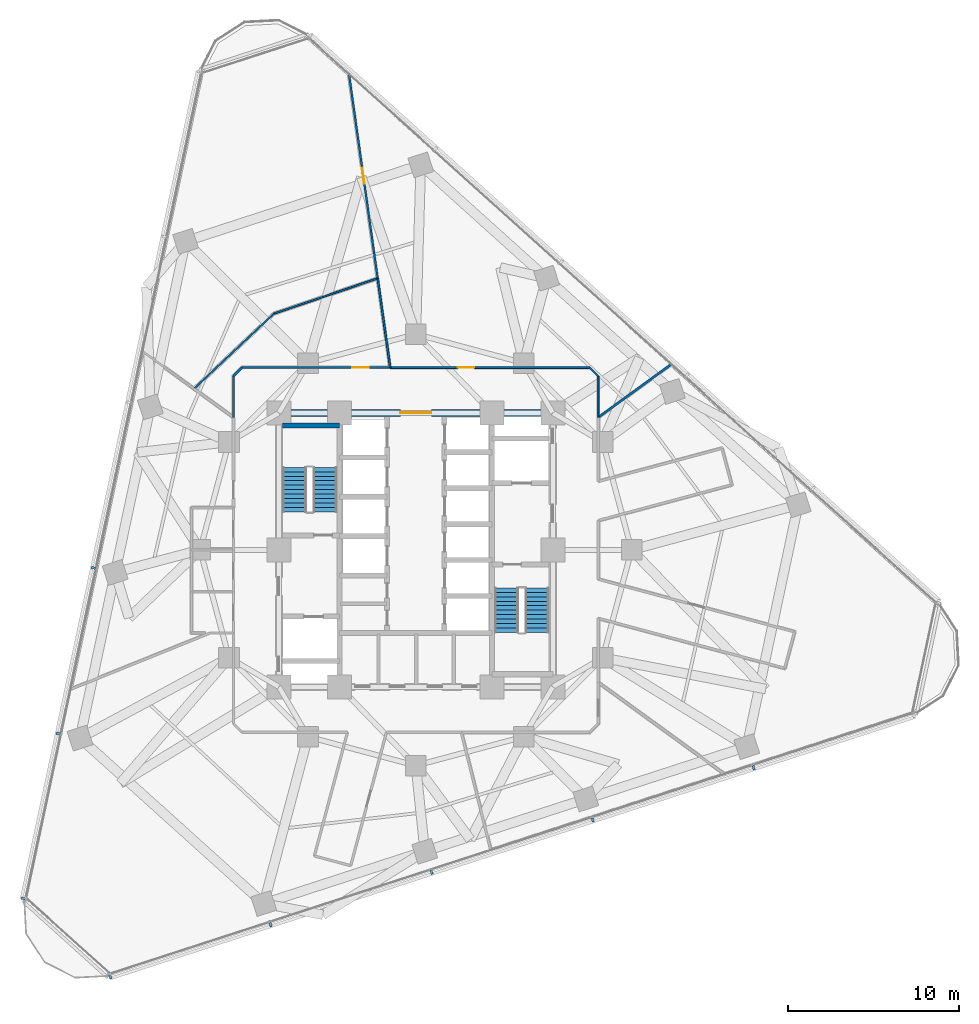
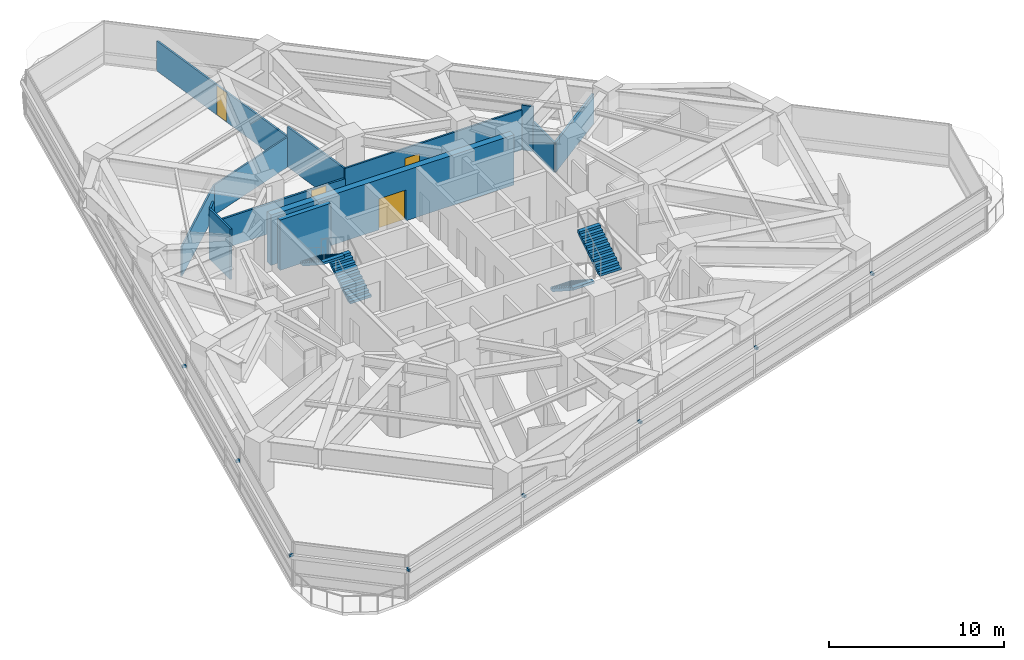
# One storey, part 10 of 14: 13 walls, 8 discrete accessories, 4 doors, 4 stair flights, 4 openings, 2 elements without a shape of their own.
"""IFC4 building model written with IfcOpenShell, lengths in metres."""

import ifcopenshell
import ifcopenshell.guid

model = None  # the IFC model being written
_history = None  # IfcOwnerHistory: only IFC2X3 demands one
_inside = {}  # id of a spatial element -> (the spatial element, [elements in it])
_under = {}  # id of a project, library or spatial element -> (it, [spatial elements below it])
_declared = {}  # id of a project -> (the project, [libraries it declares])
_typed = {}  # id of a type object -> (the type object, [elements of that type])
_made_of = {}  # id of a material, layer set ... -> (it, [elements and type objects made of it])


def new_model(schema):
    """Start an empty IFC model of exactly this schema.

    Asked for "IFC4X3", IfcOpenShell would pick the latest addendum, in which some entities
    have other attributes; the version numbers below select the first issue.
    IFC2X3 requires an IfcOwnerHistory on every rooted entity: one is made here for all.
    """
    global model, _history
    if schema == "IFC4X3":
        model = ifcopenshell.file(schema_version=(4, 3, 0, 0))
    else:
        model = ifcopenshell.file(schema=schema)
    _inside.clear()
    _under.clear()
    _declared.clear()
    _typed.clear()
    _made_of.clear()
    _history = None
    if model.schema == "IFC2X3":
        org = make("IfcOrganization", Name="unknown")
        user = make(
            "IfcPersonAndOrganization",
            ThePerson=make("IfcPerson", FamilyName="unknown"),
            TheOrganization=org,
        )
        app = make(
            "IfcApplication",
            ApplicationDeveloper=org,
            Version="unknown",
            ApplicationFullName="unknown",
            ApplicationIdentifier="unknown",
        )
        _history = make(
            "IfcOwnerHistory",
            OwningUser=user,
            OwningApplication=app,
            ChangeAction="ADDED",
            CreationDate=0,
        )
    return model


def make(cls, **values):
    """One entity of the class cls with the attributes given. An attribute that is None is left unset."""
    return model.create_entity(
        cls, **{name: value for name, value in values.items() if value is not None}
    )


def rooted(cls, **values):
    """An entity with a GlobalId (a new one), such as an element, a storey or a relation."""
    return make(cls, GlobalId=ifcopenshell.guid.new(), OwnerHistory=_history, **values)


def si_unit(unit_type, name, prefix=None):
    """IfcSIUnit, for example si_unit("LENGTHUNIT", "METRE", prefix="MILLI")."""
    return make("IfcSIUnit", UnitType=unit_type, Prefix=prefix, Name=name)


def assignment(units):
    """IfcUnitAssignment: the units of a project."""
    return None if units is None else make("IfcUnitAssignment", Units=units)


def point(xyz):
    """IfcCartesianPoint."""
    return None if xyz is None else make("IfcCartesianPoint", Coordinates=xyz)


def direction(xyz):
    """IfcDirection."""
    return None if xyz is None else make("IfcDirection", DirectionRatios=xyz)


def frame(location, z_axis=None, x_axis=None):
    """IfcAxis2Placement3D, a coordinate frame: its origin and axes. An axis left out is left unset."""
    return make(
        "IfcAxis2Placement3D",
        Location=point(location),
        Axis=direction(z_axis),
        RefDirection=direction(x_axis),
    )


def frame_2d(location, x_axis=None):
    """IfcAxis2Placement2D, a coordinate frame in the plane: its origin and x axis."""
    return make(
        "IfcAxis2Placement2D", Location=point(location), RefDirection=direction(x_axis)
    )


def origin():
    """The frame at (0, 0, 0) with its axes left unset."""
    return frame((0.0, 0.0, 0.0))


def origin_2d():
    """The frame at (0, 0) in the plane with its x axis left unset."""
    return frame_2d((0.0, 0.0))


def place(relative_to, where):
    """IfcLocalPlacement: puts the frame where relative to a parent placement (None: the world)."""
    return make(
        "IfcLocalPlacement", PlacementRelTo=relative_to, RelativePlacement=where
    )


def context(
    kind, dimensions, precision=None, world=None, true_north=None, identifier=None
):
    """IfcGeometricRepresentationContext, for example the 3D "Model" context."""
    return make(
        "IfcGeometricRepresentationContext",
        ContextIdentifier=identifier,
        ContextType=kind,
        CoordinateSpaceDimension=dimensions,
        Precision=precision,
        WorldCoordinateSystem=world,
        TrueNorth=true_north,
    )


def subcontext(parent, identifier, kind, view, scale=None):
    """IfcGeometricRepresentationSubContext, for example "Body" below "Model"."""
    return make(
        "IfcGeometricRepresentationSubContext",
        ContextIdentifier=identifier,
        ContextType=kind,
        ParentContext=parent,
        TargetScale=scale,
        TargetView=view,
    )


def project(units=None, contexts=None):
    """IfcProject with its units and contexts."""
    return rooted(
        "IfcProject",
        Name="project",
        RepresentationContexts=contexts,
        UnitsInContext=assignment(units),
    )


def spatial(cls, under=None, at=None, **own):
    """A site, building, storey or space (cls), placed at a placement, below another one or the project."""
    s = rooted(cls, ObjectPlacement=at, **own)
    if under is not None:
        _under.setdefault(under.id(), (under, []))[1].append(s)
    return s


def polyline(points):
    """IfcPolyline through the points."""
    return make("IfcPolyline", Points=[point(p) for p in points])


def profile(cls, at=None, kind="AREA", **sizes):
    """A parametric profile (cls). Its sizes go by their IFC names, for example OverallWidth=200.0."""
    return make(cls, ProfileType=kind, Position=at, **sizes)


def rectangle(**sizes):
    """IfcRectangleProfileDef."""
    return profile("IfcRectangleProfileDef", **sizes)


def outline(outer, holes=None, kind="AREA"):
    """IfcArbitraryClosedProfileDef: a profile drawn as a closed curve; with holes, ...WithVoids."""
    if holes is None:
        return make("IfcArbitraryClosedProfileDef", ProfileType=kind, OuterCurve=outer)
    return make(
        "IfcArbitraryProfileDefWithVoids",
        ProfileType=kind,
        OuterCurve=outer,
        InnerCurves=holes,
    )


def extrude(swept, where, along, depth):
    """IfcExtrudedAreaSolid: the profile swept, set in the frame where, extruded along a direction by depth."""
    return make(
        "IfcExtrudedAreaSolid",
        SweptArea=swept,
        Position=where,
        ExtrudedDirection=direction(along),
        Depth=depth,
    )


def shape(context_of_items, identifier, shape_type, items):
    """IfcShapeRepresentation: the items that make up one representation, for example the "Body"."""
    return make(
        "IfcShapeRepresentation",
        ContextOfItems=context_of_items,
        RepresentationIdentifier=identifier,
        RepresentationType=shape_type,
        Items=items,
    )


def material(Name=None, Category=None):
    """IfcMaterial."""
    return make("IfcMaterial", Name=Name, Category=Category)


def layer(
    of_material, thickness, ventilated=None, Name=None, Category=None, Priority=None
):
    """IfcMaterialLayer: one layer of a wall or slab, of a material (None: an air gap)."""
    return make(
        "IfcMaterialLayer",
        Material=of_material,
        LayerThickness=thickness,
        IsVentilated=ventilated,
        Name=Name,
        Category=Category,
        Priority=Priority,
    )


def layer_set(layers, Name=None):
    """IfcMaterialLayerSet."""
    return make("IfcMaterialLayerSet", MaterialLayers=layers, LayerSetName=Name)


def made_of(thing, what):
    """Note that an element or type object is made of a material, layer set ...; save() writes the relation."""
    if what is not None:
        _made_of.setdefault(what.id(), (what, []))[1].append(thing)
    return thing


def type_object(cls, material=None, **own):
    """A type object (cls), such as IfcWallType, which elements share."""
    return made_of(rooted(cls, **own), material)


def element(
    cls,
    number,
    at=None,
    inside=None,
    cuts=None,
    type_object=None,
    material=None,
    context=None,
    identifier="Body",
    shape_type=None,
    held_by="IfcProductDefinitionShape",
    body=None,
    shapes=None,
    **own,
):
    """One element of the class cls, such as IfcWall. Its Tag is "e" and its number.

    at: its placement. inside: the storey or other place that contains it. cuts: it is an
    opening in that element (IfcRelVoidsElement). A single representation is given by context,
    identifier, shape_type and body (its items); several are given by shapes. held_by: the class
    of the entity that holds the representations. save() writes the other relations.
    """
    e = rooted(cls, Tag="e%d" % number, ObjectPlacement=at, **own)
    if body is not None:
        shapes = [shape(context, identifier, shape_type, body)]
    if shapes is not None:
        e.Representation = make(held_by, Representations=shapes)
    if inside is not None:
        _inside.setdefault(inside.id(), (inside, []))[1].append(e)
    if cuts is not None:
        rooted(
            "IfcRelVoidsElement", RelatingBuildingElement=cuts, RelatedOpeningElement=e
        )
    if type_object is not None:
        _typed.setdefault(type_object.id(), (type_object, []))[1].append(e)
    return made_of(e, material)


def fill(opening, filler):
    """IfcRelFillsElement: the door or window that sits in an opening."""
    return rooted(
        "IfcRelFillsElement",
        RelatingOpeningElement=opening,
        RelatedBuildingElement=filler,
    )


def aggregate(whole, parts):
    """IfcRelAggregates: a whole, such as a stair, and the parts it consists of."""
    return rooted("IfcRelAggregates", RelatingObject=whole, RelatedObjects=parts)


def save(model, path):
    """Write the relations noted so far, then the file.

    IfcRelAggregates (storeys below a building ...), IfcRelContainedInSpatialStructure (elements
    in a storey), IfcRelDefinesByType, IfcRelAssociatesMaterial and IfcRelDeclares: one each for
    every whole, place, type object, material and project.
    """
    for whole, parts in _under.values():
        aggregate(whole, parts)
    for where, things in _inside.values():
        rooted(
            "IfcRelContainedInSpatialStructure",
            RelatedElements=things,
            RelatingStructure=where,
        )
    for kind, things in _typed.values():
        rooted("IfcRelDefinesByType", RelatedObjects=things, RelatingType=kind)
    for what, things in _made_of.values():
        rooted("IfcRelAssociatesMaterial", RelatedObjects=things, RelatingMaterial=what)
    for by, libraries in _declared.values():
        rooted("IfcRelDeclares", RelatingContext=by, RelatedDefinitions=libraries)
    model.write(path)


model = new_model("IFC4")

# Units and contexts
model_context = context("Model", 3, precision=1e-05, world=origin(), true_north=direction((0.0, 1.0)))
body_context = subcontext(model_context, "Body", "Model", "MODEL_VIEW")
ifc_project = project(units=[si_unit("LENGTHUNIT", "METRE"), si_unit("AREAUNIT", "SQUARE_METRE"), si_unit("VOLUMEUNIT", "CUBIC_METRE"), si_unit("PLANEANGLEUNIT", "RADIAN"), si_unit("MASSUNIT", "GRAM", prefix="KILO")], contexts=[model_context])

# Site, building, storey
site_placement = place(None, origin())
site = spatial("IfcSite", under=ifc_project, at=site_placement, CompositionType="ELEMENT")
building_placement = place(site_placement, origin())
building = spatial("IfcBuilding", under=site, at=building_placement, Name="Terralouvre Media Tower", CompositionType="ELEMENT")
storey_placement = place(building_placement, frame((0.0, 0.0, 116.199951171875)))
storey = spatial("IfcBuildingStorey", under=building, at=storey_placement, Name="L29", CompositionType="ELEMENT", Elevation=116.199951171875)

# Wall
ifc_material_1 = material(Name="Concrete C50/60", Category="concrete")
ifc_layer_1 = layer(ifc_material_1, 0.300048828125, Name="Core Internal Shaft Wall CW-300")
ifc_layer_set_1 = layer_set([ifc_layer_1], Name="Concrete C50/60")
wall_type_1 = type_object("IfcWallType", Name="Core Internal Shaft Wall CW-300", PredefinedType="SHEAR", material=ifc_layer_set_1)
wall_1_placement = place(storey_placement, frame((-7.7900390625, 7.260009765625, 0.0), z_axis=(0.0, 0.0, 1.0), x_axis=(1.0, 0.0, 0.0)))
element("IfcWall", 1, at=wall_1_placement, inside=storey, type_object=wall_type_1, Name="L29 Core Shaft Wall ST1F", PredefinedType="SHEAR", context=body_context, shape_type="SweptSolid", body=[
    extrude(rectangle(XDim=3.340087890625, YDim=0.300048828125, at=frame_2d((1.669921875, 0.0))), origin(), (0.0, 0.0, 1.0), 3.5),
])

# Wall, opening, door
ifc_material_2 = material(Name="Concrete C60/75", Category="concrete")
ifc_layer_2 = layer(ifc_material_2, 0.419921875, Name="Core Reinforced Concrete Shear Wall CW-420")
ifc_layer_set_2 = layer_set([ifc_layer_2], Name="Concrete C60/75")
wall_type_2 = type_object("IfcWallType", Name="Core Reinforced Concrete Shear Wall CW-420", PredefinedType="SHEAR", material=ifc_layer_set_2)
wall_2_placement = place(storey_placement, frame((-8.0, 8.0, 0.0), z_axis=(0.0, 0.0, 1.0), x_axis=(1.0, 0.0, 0.0)))
wall_2 = element("IfcWall", 2, at=wall_2_placement, inside=storey, type_object=wall_type_2, Name="L29 N Core Shear Wall", PredefinedType="SHEAR", context=body_context, shape_type="SweptSolid", body=[
    extrude(rectangle(XDim=16.0, YDim=0.419921875, at=frame_2d((8.0, 0.0))), origin(), (0.0, 0.0, 1.0), 3.5),
])
opening_1_placement = place(wall_2_placement, frame((7.10009765625, 0.0, 0.0)))
opening_1 = element("IfcOpeningElement", 3, at=opening_1_placement, cuts=wall_2, Name="Opening FD-03", PredefinedType="OPENING", context=body_context, shape_type="SweptSolid", body=[
    extrude(rectangle(XDim=1.800048828125, YDim=2.14990234375, at=frame_2d((0.89990234375, 1.074951171875))), frame((0.0, 0.219970703125, 0.0), z_axis=(0.0, -1.0, 0.0), x_axis=(1.0, 0.0, 0.0)), (0.0, 0.0, 1.0), 0.43994140625),
])
ifc_material_3 = material(Name="Galvanised steel fire-resisting leaf", Category="steel")
door_type_1 = type_object("IfcDoorType", Name="Corridor Smoke-Control Double Door FD-03", OperationType="DOUBLE_DOOR_SINGLE_SWING", PredefinedType="DOOR", material=ifc_material_3)
door_1_placement = place(opening_1_placement, origin())
door_1 = element("IfcDoor", 4, at=door_1_placement, inside=storey, type_object=door_type_1, Name="L29 Central Lift Lobby Portal Door", OperationType="DOUBLE_DOOR_SINGLE_SWING", OverallHeight=2.14990234375, OverallWidth=1.800048828125, PredefinedType="DOOR", context=body_context, shape_type="SweptSolid", body=[
    extrude(rectangle(XDim=1.800048828125, YDim=2.14990234375, at=frame_2d((0.89990234375, 1.074951171875))), frame((0.0, 0.02490234375, 0.0), z_axis=(0.0, -1.0, 0.0), x_axis=(1.0, 0.0, 0.0)), (0.0, 0.0, 1.0), 0.050048828125),
])
fill(opening_1, door_1)

# Walls
ifc_material_4 = material(Name="Low-iron laminated double glazing with solar-control coating", Category="glass")
ifc_layer_3 = layer(ifc_material_4, 0.10009765625, Name="Demountable Glazed Office Partition PT-GL100")
ifc_layer_set_3 = layer_set([ifc_layer_3], Name="Low-iron laminated double glazing with solar-control coating")
wall_type_3 = type_object("IfcWallType", Name="Demountable Glazed Office Partition PT-GL100", PredefinedType="MOVABLE", material=ifc_layer_set_3)
for number, where, z_axis, x_axis, name in (
    (5, (-12.9560546875, 9.4130859375, 0.0), (0.0, 0.0, 1.0), (0.728413758726, 0.685137501599, 0.0), "L29 Interior Partition 042"),
    (6, (-8.2919921875, 13.800048828125, 0.0), (0.0, 0.0, 1.0), (0.946895388767, 0.321541790025, 0.0), "L29 Interior Partition 043"),
):
    element("IfcWall", number, at=place(storey_placement, frame(where, z_axis=z_axis, x_axis=x_axis)), inside=storey, type_object=wall_type_3, Name=name, PredefinedType="MOVABLE", context=body_context, shape_type="SweptSolid", body=[
        extrude(rectangle(XDim=6.403076171875, YDim=0.10009765625, at=frame_2d((3.20166015625, 0.0))), origin(), (0.0, 0.0, 1.0), 2.0849609375),
    ])

# Wall, opening, door
ifc_material_5 = material(Name="Fire-rated gypsum board drywall partition")
ifc_layer_4 = layer(ifc_material_5, 0.135009765625, Name="Newsroom Acoustic Partition PT-135")
ifc_layer_set_4 = layer_set([ifc_layer_4], Name="Fire-rated gypsum board drywall partition")
wall_type_4 = type_object("IfcWallType", Name="Newsroom Acoustic Partition PT-135", PredefinedType="PARTITIONING", material=ifc_layer_set_4)
wall_3_placement = place(storey_placement, frame((-1.4970703125, 10.64990234375, 0.0), z_axis=(0.0, 0.0, 1.0), x_axis=(-1.0, 0.0, 0.0)))
wall_3 = element("IfcWall", 7, at=wall_3_placement, inside=storey, type_object=wall_type_4, Name="L29 Interior Partition 025", PredefinedType="PARTITIONING", context=body_context, shape_type="SweptSolid", body=[
    extrude(rectangle(XDim=8.65283203125, YDim=0.135009765625, at=frame_2d((4.326416015625, 0.0))), origin(), (0.0, 0.0, 1.0), 2.0849609375),
])
opening_2_placement = place(wall_3_placement, frame((1.255615234375, 0.0, 0.0)))
opening_2 = element("IfcOpeningElement", 8, at=opening_2_placement, cuts=wall_3, Name="Opening ID-02-95X206", PredefinedType="OPENING", context=body_context, shape_type="SweptSolid", body=[
    extrude(rectangle(XDim=0.949951171875, YDim=2.034912109375, at=frame_2d((0.47509765625, 1.017578125))), frame((0.0, 0.077392578125, 0.0), z_axis=(0.0, -1.0, 0.0), x_axis=(1.0, 0.0, 0.0)), (0.0, 0.0, 1.0), 0.155029296875),
])
ifc_material_6 = material(Name="Engineered hardwood acoustic timber leaf", Category="wood")
door_type_2 = type_object("IfcDoorType", Name="Office and Meeting Room Door ID-02 (950x2065)", OperationType="NOTDEFINED", PredefinedType="DOOR", material=ifc_material_6)
door_2_placement = place(opening_2_placement, origin())
door_2 = element("IfcDoor", 9, at=door_2_placement, inside=storey, type_object=door_type_2, Name="L29 Exhibitions Reading Library 6 Door", OperationType="SINGLE_SWING_RIGHT", OverallHeight=2.034912109375, OverallWidth=0.949951171875, PredefinedType="DOOR", context=body_context, shape_type="SweptSolid", body=[
    extrude(rectangle(XDim=0.949951171875, YDim=2.034912109375, at=frame_2d((0.47509765625, 1.017578125))), frame((0.0, 0.02490234375, 0.0), z_axis=(0.0, -1.0, 0.0), x_axis=(1.0, 0.0, 0.0)), (0.0, 0.0, 1.0), 0.050048828125),
])
fill(opening_2, door_2)

# Walls
wall_4_placement = place(storey_placement, frame((-10.14990234375, 10.64990234375, 0.0), z_axis=(0.0, 0.0, 1.0), x_axis=(-0.707106781187, -0.707106781187, 0.0)))
element("IfcWall", 10, at=wall_4_placement, inside=storey, type_object=wall_type_4, Name="L29 Interior Partition 026", PredefinedType="PARTITIONING", context=body_context, shape_type="SweptSolid", body=[
    extrude(rectangle(XDim=0.70703125, YDim=0.135009765625, at=frame_2d((0.353515625, 0.0))), origin(), (0.0, 0.0, 1.0), 3.5),
])
wall_5_placement = place(storey_placement, frame((-10.64990234375, 10.14990234375, 0.0), z_axis=(0.0, 0.0, 1.0), x_axis=(0.0, -1.0, 0.0)))
element("IfcWall", 11, at=wall_5_placement, inside=storey, type_object=wall_type_4, Name="L29 Interior Partition 027", PredefinedType="PARTITIONING", context=body_context, shape_type="SweptSolid", body=[
    extrude(rectangle(XDim=2.411865234375, YDim=0.135009765625, at=frame_2d((1.2060546875, 0.0))), origin(), (0.0, 0.0, 1.0), 3.5),
])
wall_6_placement = place(storey_placement, frame((14.947021484375, 10.860107421875, 0.0), z_axis=(0.0, 0.0, 1.0), x_axis=(-0.809014262986, -0.587789011708, 0.0)))
element("IfcWall", 12, at=wall_6_placement, inside=storey, type_object=wall_type_4, Name="L29 Interior Partition 031", PredefinedType="PARTITIONING", context=body_context, shape_type="SweptSolid", body=[
    extrude(rectangle(XDim=5.3115234375, YDim=0.135009765625, at=frame_2d((2.65576171875, 0.0))), origin(), (0.0, 0.0, 1.0), 2.0849609375),
])
ifc_material_7 = material(Name="Fire-rated gypsum board drywall partition")
ifc_layer_5 = layer(ifc_material_7, 0.114990234375, Name="Restroom and Pantry Partition PT-115")
ifc_layer_set_5 = layer_set([ifc_layer_5], Name="Fire-rated gypsum board drywall partition")
wall_type_5 = type_object("IfcWallType", Name="Restroom and Pantry Partition PT-115", PredefinedType="PARTITIONING", material=ifc_layer_set_5)
wall_7_placement = place(storey_placement, frame((10.64990234375, 7.738037109375, 0.0), z_axis=(0.0, 0.0, 1.0), x_axis=(0.0, 1.0, 0.0)))
element("IfcWall", 13, at=wall_7_placement, inside=storey, type_object=wall_type_5, Name="L29 Interior Partition 022", PredefinedType="PARTITIONING", context=body_context, shape_type="SweptSolid", body=[
    extrude(rectangle(XDim=2.411865234375, YDim=0.114990234375, at=frame_2d((1.2060546875, 0.0))), origin(), (0.0, 0.0, 1.0), 2.0849609375),
])
wall_8_placement = place(storey_placement, frame((10.64990234375, 10.14990234375, 0.0), z_axis=(0.0, 0.0, 1.0), x_axis=(-0.707106781187, 0.707106781187, 0.0)))
element("IfcWall", 14, at=wall_8_placement, inside=storey, type_object=wall_type_5, Name="L29 Interior Partition 023", PredefinedType="PARTITIONING", context=body_context, shape_type="SweptSolid", body=[
    extrude(rectangle(XDim=0.70703125, YDim=0.114990234375, at=frame_2d((0.353515625, 0.0))), origin(), (0.0, 0.0, 1.0), 3.125),
])

# Wall, opening, door
wall_9_placement = place(storey_placement, frame((10.14990234375, 10.64990234375, 0.0), z_axis=(0.0, 0.0, 1.0), x_axis=(-1.0, 0.0, 0.0)))
wall_9 = element("IfcWall", 15, at=wall_9_placement, inside=storey, type_object=wall_type_5, Name="L29 Interior Partition 024", PredefinedType="PARTITIONING", context=body_context, shape_type="SweptSolid", body=[
    extrude(rectangle(XDim=11.64697265625, YDim=0.114990234375, at=frame_2d((5.823486328125, 0.0))), origin(), (0.0, 0.0, 1.0), 2.78515625),
])
opening_3_placement = place(wall_9_placement, frame((6.74609375, 0.0, 0.0)))
opening_3 = element("IfcOpeningElement", 16, at=opening_3_placement, cuts=wall_9, Name="Opening SD-01-95X210", PredefinedType="OPENING", context=body_context, shape_type="SweptSolid", body=[
    extrude(rectangle(XDim=0.949951171875, YDim=2.10009765625, at=frame_2d((0.47509765625, 1.050048828125))), frame((0.0, 0.0673828125, 0.0), z_axis=(0.0, -1.0, 0.0), x_axis=(1.0, 0.0, 0.0)), (0.0, 0.0, 1.0), 0.135009765625),
])
ifc_material_8 = material(Name="Anodised extruded aluminium 6063-T6", Category="aluminium")
door_type_3 = type_object("IfcDoorType", Name="Pantry Pocket Sliding Door SD-01 (950x2100)", OperationType="SLIDING_TO_LEFT", PredefinedType="DOOR", material=ifc_material_8)
door_3_placement = place(opening_3_placement, origin())
door_3 = element("IfcDoor", 17, at=door_3_placement, inside=storey, type_object=door_type_3, Name="L29 Press Exchange Espresso Kitchen 4 Door", OperationType="SLIDING_TO_LEFT", OverallHeight=2.10009765625, OverallWidth=0.949951171875, PredefinedType="DOOR", context=body_context, shape_type="SweptSolid", body=[
    extrude(rectangle(XDim=0.949951171875, YDim=2.10009765625, at=frame_2d((0.47509765625, 1.050048828125))), frame((0.0, 0.02490234375, 0.0), z_axis=(0.0, -1.0, 0.0), x_axis=(1.0, 0.0, 0.0)), (0.0, 0.0, 1.0), 0.050048828125),
])
fill(opening_3, door_3)

wall_10_placement = place(storey_placement, frame((-3.91259765625, 27.84130859375, 0.0), z_axis=(0.0, 0.0, 1.0), x_axis=(0.139138590951, -0.990272918194, 0.0)))
wall_10 = element("IfcWall", 18, at=wall_10_placement, inside=storey, type_object=wall_type_5, Name="L29 Interior Partition 040", PredefinedType="PARTITIONING", context=body_context, shape_type="SweptSolid", body=[
    extrude(rectangle(XDim=12.10009765625, YDim=0.114990234375, at=frame_2d((6.050048828125, 0.0))), origin(), (0.0, 0.0, 1.0), 2.0849609375),
])
opening_4_placement = place(wall_10_placement, frame((5.590087890625, 0.0, 0.0)))
opening_4 = element("IfcOpeningElement", 19, at=opening_4_placement, cuts=wall_10, Name="Opening ID-03-92X206", PredefinedType="OPENING", context=body_context, shape_type="SweptSolid", body=[
    extrude(rectangle(XDim=0.919921875, YDim=2.034912109375, at=frame_2d((0.4599609375, 1.017578125))), frame((0.0, 0.0673828125, 0.0), z_axis=(0.0, -1.0, 0.0), x_axis=(1.0, 0.0, 0.0)), (0.0, 0.0, 1.0), 0.135009765625),
])
ifc_material_9 = material(Name="Engineered hardwood acoustic timber leaf", Category="wood")
door_type_4 = type_object("IfcDoorType", Name="Accessible Restroom and Suite Door ID-03 (920x2065)", OperationType="NOTDEFINED", PredefinedType="DOOR", material=ifc_material_9)
door_4_placement = place(opening_4_placement, origin())
door_4 = element("IfcDoor", 20, at=door_4_placement, inside=storey, type_object=door_type_4, Name="L29 Broadcast Forum Conference Room 5 Door", OperationType="SINGLE_SWING_LEFT", OverallHeight=2.034912109375, OverallWidth=0.919921875, PredefinedType="DOOR", context=body_context, shape_type="SweptSolid", body=[
    extrude(rectangle(XDim=0.919921875, YDim=2.034912109375, at=frame_2d((0.4599609375, 1.017578125))), frame((0.0, 0.02490234375, 0.0), z_axis=(0.0, -1.0, 0.0), x_axis=(1.0, 0.0, 0.0)), (0.0, 0.0, 1.0), 0.050048828125),
])
fill(opening_4, door_4)

# Wall
wall_11_placement = place(storey_placement, frame((-2.22900390625, 15.85888671875, 0.0), z_axis=(0.0, 0.0, 1.0), x_axis=(0.139146736844, -0.990271773619, 0.0)))
element("IfcWall", 21, at=wall_11_placement, inside=storey, type_object=wall_type_5, Name="L29 Interior Partition 041", PredefinedType="PARTITIONING", context=body_context, shape_type="SweptSolid", body=[
    extrude(rectangle(XDim=5.26025390625, YDim=0.114990234375, at=frame_2d((2.630126953125, 0.0))), origin(), (0.0, 0.0, 1.0), 2.78515625),
])

# Stair, stair flights
ifc_material_10 = material(Name="Concrete C45/55", Category="concrete")
stair_type_1 = type_object("IfcStairType", Name="Dogleg Stair Assembly ST-01", PredefinedType="HALF_TURN_STAIR", material=ifc_material_10)
stair_1_placement = place(storey_placement, origin())
stair_1 = element("IfcStair", 22, at=stair_1_placement, inside=storey, type_object=stair_type_1, Name="L29 Core Pressurised Exit Stair ST-01", PredefinedType="HALF_TURN_STAIR")
ifc_material_11 = material(Name="Concrete C45/55", Category="concrete")
stair_flight_type = type_object("IfcStairFlightType", Name="Reinforced Concrete Stair Flight SF-RC1", PredefinedType="STRAIGHT", material=ifc_material_11)
stair_flight_1_placement = place(storey_placement, frame((-5.300048828125, 2.219970703125, 0.0), z_axis=(0.0, 0.0, 1.0), x_axis=(0.0, 1.0, 0.0)))
stair_flight_1 = element("IfcStairFlight", 23, at=stair_flight_1_placement, type_object=stair_flight_type, Name="ST-01 flight 1", NumberOfRisers=11, NumberOfTreads=10, PredefinedType="STRAIGHT", RiserHeight=0.168181818, TreadLength=0.26, context=body_context, shape_type="SweptSolid", body=[
    extrude(outline(polyline([(0.0, 0.0), (0.0, 0.168212890625), (0.260009765625, 0.168212890625), (0.260009765625, 0.33642578125), (0.52001953125, 0.33642578125), (0.52001953125, 0.504638671875), (0.780029296875, 0.504638671875), (0.780029296875, 0.672607421875), (1.0400390625, 0.672607421875), (1.0400390625, 0.8408203125), (1.300048828125, 0.8408203125), (1.300048828125, 1.009033203125), (1.56005859375, 1.009033203125), (1.56005859375, 1.17724609375), (1.820068359375, 1.17724609375), (1.820068359375, 1.345458984375), (2.080078125, 1.345458984375), (2.080078125, 1.513671875), (2.340087890625, 1.513671875), (2.340087890625, 1.681884765625), (2.60009765625, 1.681884765625), (2.60009765625, 1.85009765625), (2.60009765625, 1.503173828125), (0.27587890625, 0.0), (0.0, 0.0)])), frame((0.0, 0.699951171875, 0.0), z_axis=(0.0, -1.0, 0.0), x_axis=(1.0, 0.0, 0.0)), (0.0, 0.0, 1.0), 1.39990234375),
])
stair_flight_2_placement = place(storey_placement, frame((-7.080078125, 4.820068359375, 1.85009765625), z_axis=(0.0, 0.0, 1.0), x_axis=(0.0, -1.0, 0.0)))
stair_flight_2 = element("IfcStairFlight", 24, at=stair_flight_2_placement, type_object=stair_flight_type, Name="ST-01 flight 2", NumberOfRisers=11, NumberOfTreads=10, PredefinedType="STRAIGHT", RiserHeight=0.168181818, TreadLength=0.26, context=body_context, shape_type="SweptSolid", body=[
    extrude(outline(polyline([(0.0, 0.0), (0.0, 0.168212890625), (0.260009765625, 0.168212890625), (0.260009765625, 0.33642578125), (0.52001953125, 0.33642578125), (0.52001953125, 0.504638671875), (0.780029296875, 0.504638671875), (0.780029296875, 0.672607421875), (1.0400390625, 0.672607421875), (1.0400390625, 0.8408203125), (1.300048828125, 0.8408203125), (1.300048828125, 1.009033203125), (1.56005859375, 1.009033203125), (1.56005859375, 1.17724609375), (1.820068359375, 1.17724609375), (1.820068359375, 1.345458984375), (2.080078125, 1.345458984375), (2.080078125, 1.513671875), (2.340087890625, 1.513671875), (2.340087890625, 1.681884765625), (2.60009765625, 1.681884765625), (2.60009765625, 1.85009765625), (2.60009765625, 1.503173828125), (0.27587890625, 0.0), (0.0, 0.0)])), frame((0.0, 0.699951171875, 0.0), z_axis=(0.0, -1.0, 0.0), x_axis=(1.0, 0.0, 0.0)), (0.0, 0.0, 1.0), 1.39990234375),
])
aggregate(stair_1, [stair_flight_1, stair_flight_2])

ifc_material_12 = material(Name="Concrete C45/55", Category="concrete")
stair_type_2 = type_object("IfcStairType", Name="Dogleg Stair Assembly ST-02", PredefinedType="HALF_TURN_STAIR", material=ifc_material_12)
stair_2_placement = place(storey_placement, origin())
stair_2 = element("IfcStair", 25, at=stair_2_placement, inside=storey, type_object=stair_type_2, Name="L29 Core Pressurised Exit Stair ST-02", PredefinedType="HALF_TURN_STAIR")
stair_flight_3_placement = place(storey_placement, frame((5.300048828125, -2.219970703125, 0.0), z_axis=(0.0, 0.0, 1.0), x_axis=(0.0, -1.0, 0.0)))
stair_flight_3 = element("IfcStairFlight", 26, at=stair_flight_3_placement, type_object=stair_flight_type, Name="ST-02 flight 1", NumberOfRisers=11, NumberOfTreads=10, PredefinedType="STRAIGHT", RiserHeight=0.168181818, TreadLength=0.26, context=body_context, shape_type="SweptSolid", body=[
    extrude(outline(polyline([(0.0, 0.0), (0.0, 0.168212890625), (0.260009765625, 0.168212890625), (0.260009765625, 0.33642578125), (0.52001953125, 0.33642578125), (0.52001953125, 0.504638671875), (0.780029296875, 0.504638671875), (0.780029296875, 0.672607421875), (1.0400390625, 0.672607421875), (1.0400390625, 0.8408203125), (1.300048828125, 0.8408203125), (1.300048828125, 1.009033203125), (1.56005859375, 1.009033203125), (1.56005859375, 1.17724609375), (1.820068359375, 1.17724609375), (1.820068359375, 1.345458984375), (2.080078125, 1.345458984375), (2.080078125, 1.513671875), (2.340087890625, 1.513671875), (2.340087890625, 1.681884765625), (2.60009765625, 1.681884765625), (2.60009765625, 1.85009765625), (2.60009765625, 1.503173828125), (0.27587890625, 0.0), (0.0, 0.0)])), frame((0.0, 0.699951171875, 0.0), z_axis=(0.0, -1.0, 0.0), x_axis=(1.0, 0.0, 0.0)), (0.0, 0.0, 1.0), 1.39990234375),
])
stair_flight_4_placement = place(storey_placement, frame((7.080078125, -4.820068359375, 1.85009765625), z_axis=(0.0, 0.0, 1.0), x_axis=(0.0, 1.0, 0.0)))
stair_flight_4 = element("IfcStairFlight", 27, at=stair_flight_4_placement, type_object=stair_flight_type, Name="ST-02 flight 2", NumberOfRisers=11, NumberOfTreads=10, PredefinedType="STRAIGHT", RiserHeight=0.168181818, TreadLength=0.26, context=body_context, shape_type="SweptSolid", body=[
    extrude(outline(polyline([(0.0, 0.0), (0.0, 0.168212890625), (0.260009765625, 0.168212890625), (0.260009765625, 0.33642578125), (0.52001953125, 0.33642578125), (0.52001953125, 0.504638671875), (0.780029296875, 0.504638671875), (0.780029296875, 0.672607421875), (1.0400390625, 0.672607421875), (1.0400390625, 0.8408203125), (1.300048828125, 0.8408203125), (1.300048828125, 1.009033203125), (1.56005859375, 1.009033203125), (1.56005859375, 1.17724609375), (1.820068359375, 1.17724609375), (1.820068359375, 1.345458984375), (2.080078125, 1.345458984375), (2.080078125, 1.513671875), (2.340087890625, 1.513671875), (2.340087890625, 1.681884765625), (2.60009765625, 1.681884765625), (2.60009765625, 1.85009765625), (2.60009765625, 1.503173828125), (0.27587890625, 0.0), (0.0, 0.0)])), frame((0.0, 0.699951171875, 0.0), z_axis=(0.0, -1.0, 0.0), x_axis=(1.0, 0.0, 0.0)), (0.0, 0.0, 1.0), 1.39990234375),
])
aggregate(stair_2, [stair_flight_3, stair_flight_4])

# Discrete accessories
ifc_material_13 = material(Name="Anodised extruded aluminium 6063-T6", Category="aluminium")
discrete_accessory_type = type_object("IfcDiscreteAccessoryType", Name="Mullion Stand-Off Baguette Fixing Bracket BK-01", PredefinedType="BRACKET", material=ifc_material_13)
for number, where, z_axis, x_axis, name in (
    (28, (-17.852783203125, -24.928955078125, 2.07421875), (0.0, 0.0, 1.0), (0.951056509451, 0.309017015439, 0.0), "CW-L29-F0 Baguette Outrigger Bracket 1.01"),
    (29, (-8.484375, -21.885009765625, 2.07421875), (0.0, 0.0, 1.0), (0.951056509451, 0.309017015439, 0.0), "CW-L29-F0 Baguette Outrigger Bracket 1.02"),
    (30, (0.919677734375, -18.82958984375, 2.07421875), (0.0, 0.0, 1.0), (0.951056509451, 0.309017015439, 0.0), "CW-L29-F0 Baguette Outrigger Bracket 1.03"),
    (31, (10.32373046875, -15.77392578125, 2.07421875), (0.0, 0.0, 1.0), (0.951056509451, 0.309017015439, 0.0), "CW-L29-F0 Baguette Outrigger Bracket 1.04"),
    (32, (19.727783203125, -12.71826171875, 2.07421875), (0.0, 0.0, 1.0), (0.951056509451, 0.309017015439, 0.0), "CW-L29-F0 Baguette Outrigger Bracket 1.05"),
    (33, (-18.822509765625, -1.0537109375, 2.07421875), (0.0, 0.0, 1.0), (-0.207911643887, -0.978147610709, 0.0), "CW-L29-F2 Baguette Outrigger Bracket 1.04"),
    (34, (-20.87841796875, -10.7255859375, 2.07421875), (0.0, 0.0, 1.0), (-0.207911643887, -0.978147610709, 0.0), "CW-L29-F2 Baguette Outrigger Bracket 1.05"),
    (35, (-22.92626953125, -20.36083984375, 2.07421875), (0.0, 0.0, 1.0), (-0.207911643887, -0.978147610709, 0.0), "CW-L29-F2 Baguette Outrigger Bracket 1.06"),
):
    element("IfcDiscreteAccessory", number, at=place(storey_placement, frame(where, z_axis=z_axis, x_axis=x_axis)), inside=storey, type_object=discrete_accessory_type, Name=name, PredefinedType="BRACKET", context=body_context, shape_type="SweptSolid", body=[
        extrude(rectangle(XDim=0.139892578125, YDim=0.239990234375, at=origin_2d()), origin(), (0.0, 0.0, 1.0), 0.179931640625),
    ])

save(model, "model.ifc")
